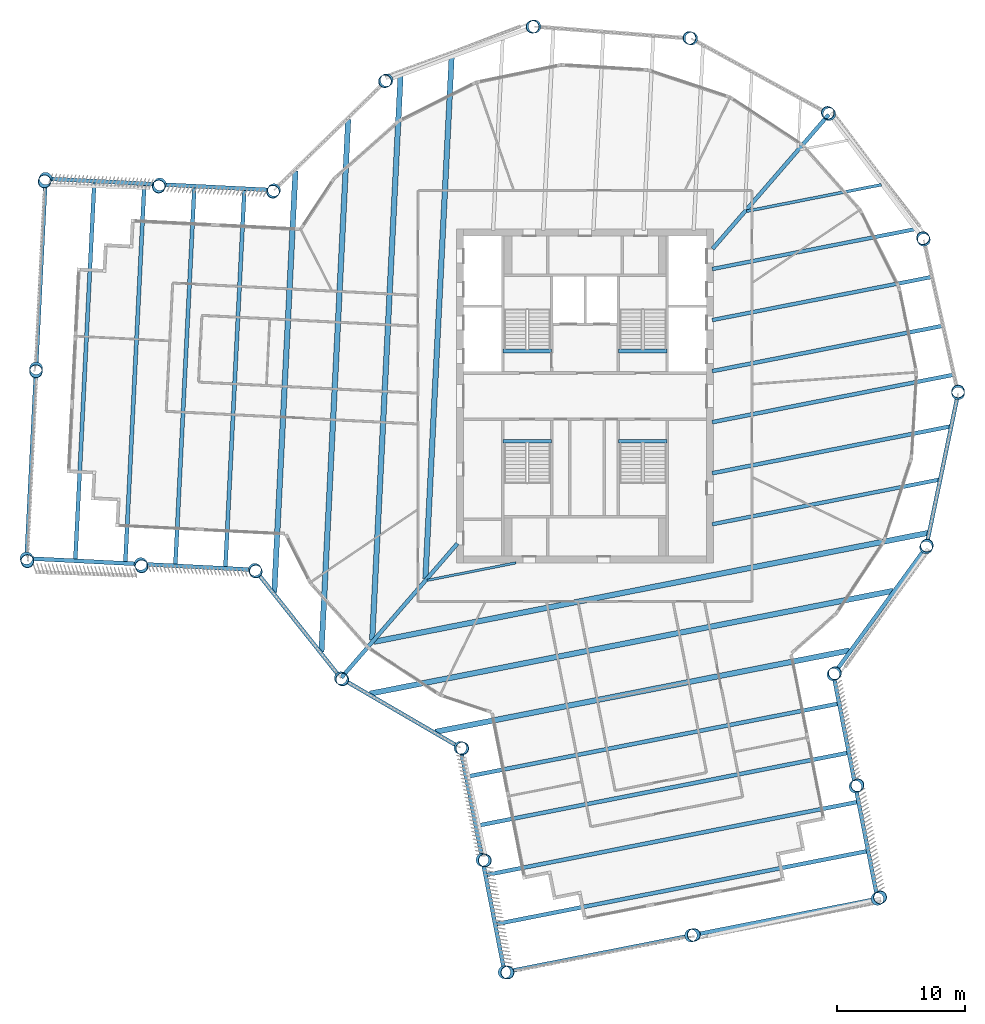
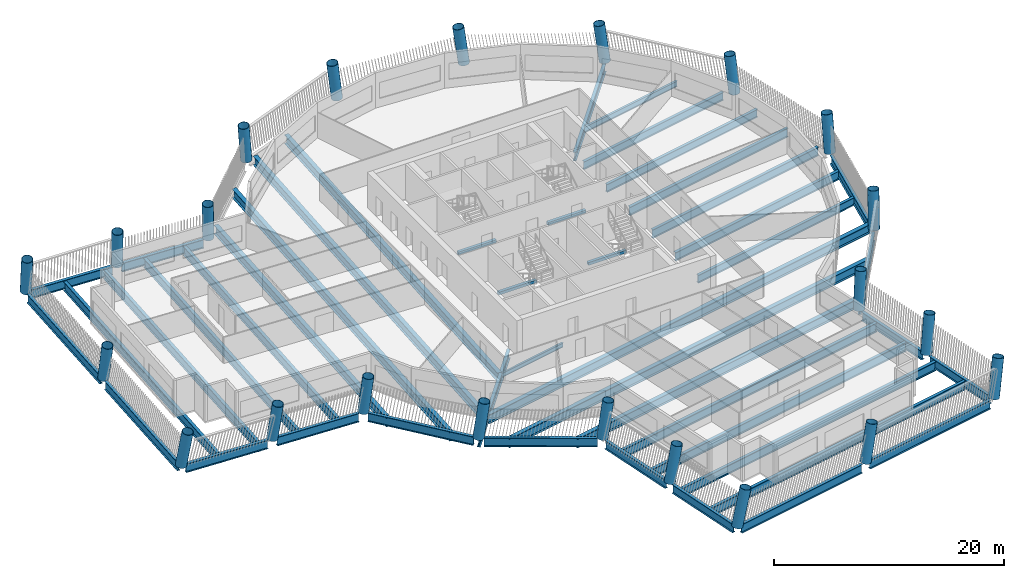
# One storey, part 1 of 14: 45 beams, 22 columns.
"""IFC4 building model written with IfcOpenShell, lengths in metres."""

from ifc_helpers import new_model, si_unit, direction, frame, origin, origin_2d, place, context, subcontext, project, spatial, rectangle, hollow_circle, i_section, extrude, material, material_profile, profile_set, type_object, element, save


model = new_model("IFC4")

# Units and contexts
model_context = context("Model", 3, precision=1e-05, world=origin(), true_north=direction((0.0, 1.0)))
body_context = subcontext(model_context, "Body", "Model", "MODEL_VIEW")
ifc_project = project(units=[si_unit("LENGTHUNIT", "METRE"), si_unit("AREAUNIT", "SQUARE_METRE"), si_unit("VOLUMEUNIT", "CUBIC_METRE"), si_unit("PLANEANGLEUNIT", "RADIAN"), si_unit("MASSUNIT", "GRAM", prefix="KILO")], contexts=[model_context])

# Site, building, storey
site_placement = place(None, origin())
site = spatial("IfcSite", under=ifc_project, at=site_placement, CompositionType="ELEMENT")
building_placement = place(site_placement, origin())
building = spatial("IfcBuilding", under=site, at=building_placement, Name="Tarsis Ring Headquarters", CompositionType="ELEMENT")
storey_placement = place(building_placement, frame((0.0, 0.0, 274.699951171875)))
storey = spatial("IfcBuildingStorey", under=building, at=storey_placement, Name="L64", CompositionType="ELEMENT", Elevation=274.699951171875)

# Columns
ifc_material_1 = material(Name="Structural steel S355", Category="steel")
ifc_material_profile_1 = material_profile(ifc_material_1, hollow_circle(Radius=0.508056640625, WallThickness=0.0400390625, at=origin_2d()), Name="CHS 1016x40")
ifc_profile_set_1 = profile_set([ifc_material_profile_1], Name="Structural steel S355")
column_type = type_object("IfcColumnType", Name="XC Exo column CHS 1016x40", PredefinedType="COLUMN", material=ifc_profile_set_1)
for number, where, z_axis, x_axis, name in (
    (1, (-19.011474609375, -21.963134765625, 0.001220703125), (0.098202582174, -0.083543626201, 0.991653525873), (0.64797000326, 0.761665855133, 0.0), "Exo column XC6 F1"),
    (2, (-9.701171875, -27.380615234375, 0.001220703125), (0.121868609297, -0.04198938832, 0.991657669429), (0.32575306004, 0.945454887276, 0.0), "Exo column XC6 AK"),
):
    element("IfcColumn", number, at=place(storey_placement, frame(where, z_axis=z_axis, x_axis=x_axis)), inside=storey, type_object=column_type, Name=name, PredefinedType="COLUMN", context=body_context, shape_type="SweptSolid", body=[
        extrude(hollow_circle(Radius=0.508056640625, WallThickness=0.0400390625, at=origin_2d()), origin(), (0.0, 0.0, 1.0), 3.930419921875),
    ])
column_1_placement = place(storey_placement, frame((-7.984130859375, -36.11572265625, 0.00146484375), z_axis=(0.159702627069, -0.033868823388, 0.986583992222), x_axis=(0.207460295854, 0.978243438845, 0.0)))
element("IfcColumn", 3, at=column_1_placement, inside=storey, type_object=column_type, Name="Exo column XC6 AI1", PredefinedType="COLUMN", context=body_context, shape_type="SweptSolid", body=[
    extrude(hollow_circle(Radius=0.508056640625, WallThickness=0.0400390625, at=origin_2d()), origin(), (0.0, 0.0, 1.0), 3.9501953125),
])
column_2_placement = place(storey_placement, frame((-6.267333984375, -44.850830078125, 0.00146484375), z_axis=(0.196971829618, -0.025788082431, 0.980069932781), x_axis=(0.129814858257, 0.991538250687, 0.0)))
element("IfcColumn", 4, at=column_2_placement, inside=storey, type_object=column_type, Name="Exo column XC6 AT1", PredefinedType="COLUMN", context=body_context, shape_type="SweptSolid", body=[
    extrude(hollow_circle(Radius=0.508056640625, WallThickness=0.0400390625, at=origin_2d()), origin(), (0.0, 0.0, 1.0), 3.976318359375),
])
column_3_placement = place(storey_placement, frame((8.2548828125, -41.996337890625, 0.00146484375), z_axis=(0.184271286515, 0.037900204505, 0.982144422916), x_axis=(-0.201459132948, 0.979496920746, 0.0)))
element("IfcColumn", 5, at=column_3_placement, inside=storey, type_object=column_type, Name="Exo column XC6 AT2", PredefinedType="COLUMN", context=body_context, shape_type="SweptSolid", body=[
    extrude(hollow_circle(Radius=0.508056640625, WallThickness=0.0400390625, at=origin_2d()), origin(), (0.0, 0.0, 1.0), 3.968017578125),
])
column_4_placement = place(storey_placement, frame((22.777099609375, -39.141845703125, 0.00146484375), z_axis=(0.170756489285, 0.10137323402, 0.980084531452), x_axis=(-0.510488745539, 0.85988443449, 0.0)))
element("IfcColumn", 6, at=column_4_placement, inside=storey, type_object=column_type, Name="Exo column XC6 AT3", PredefinedType="COLUMN", context=body_context, shape_type="SweptSolid", body=[
    extrude(hollow_circle(Radius=0.508056640625, WallThickness=0.0400390625, at=origin_2d()), origin(), (0.0, 0.0, 1.0), 3.97607421875),
])
column_5_placement = place(storey_placement, frame((21.06005859375, -30.40673828125, 0.00146484375), z_axis=(0.1334348684, 0.094127514855, 0.986577491555), x_axis=(-0.57643055625, 0.817146139819, 0.0)))
element("IfcColumn", 7, at=column_5_placement, inside=storey, type_object=column_type, Name="Exo column XC6 AO1", PredefinedType="COLUMN", context=body_context, shape_type="SweptSolid", body=[
    extrude(hollow_circle(Radius=0.508056640625, WallThickness=0.0400390625, at=origin_2d()), origin(), (0.0, 0.0, 1.0), 3.9501953125),
])
for number, where, z_axis, x_axis, name in (
    (8, (19.343017578125, -21.671630859375, 0.001220703125), (0.095408043191, 0.086649882976, 0.991659771834), (-0.672312891476, 0.740267097712, 0.0), "Exo column XC6 AJ"),
    (9, (26.55615234375, -11.772216796875, 0.001220703125), (0.051244126504, 0.118327346654, 0.991651490461), (-0.917643471949, 0.397404653206, 0.0), "Exo column XC6 R1"),
    (10, (29.047607421875, 0.220703125, 0.001220703125), (-0.002111890841, 0.128887455752, 0.991656978832), (-0.99986578403, -0.016383342967, 0.0), "Exo column XC6 R2"),
    (11, (26.374267578125, 12.17431640625, 0.001220703125), (-0.055033646498, 0.116527224414, 0.991661587299), (-0.904227966914, -0.427050095248, 0.0), "Exo column XC6 R3"),
    (12, (19.011474609375, 21.963134765625, 0.001220703125), (-0.098202582174, 0.083543626201, 0.991653525873), (-0.64797000326, -0.761665855133, 0.0), "Exo column XC6 R4"),
    (13, (8.268310546875, 27.846923828125, 0.001220703125), (-0.123917924806, 0.035591464117, 0.991653969686), (-0.276057106633, -0.961141235135, 0.0), "Exo column XC6 R5"),
    (14, (-3.945068359375, 28.779296875, 0.001220703125), (-0.127521570622, -0.018572308629, 0.99166189721), (0.144120069288, -0.989560208188, 0.0), "Exo column XC6 R6"),
    (15, (-15.456787109375, 24.5947265625, 0.001220703125), (-0.108575380894, -0.069567749772, 0.991651004565), (0.539491025248, -0.84199135012, 0.0), "Exo column XC6 R7"),
    (16, (-24.220458984375, 16.037109375, 0.001220703125), (-0.070189150771, -0.108140983621, 0.991654683232), (0.838806682157, -0.544429380148, 0.0), "Exo column XC6 BJ"),
):
    element("IfcColumn", number, at=place(storey_placement, frame(where, z_axis=z_axis, x_axis=x_axis)), inside=storey, type_object=column_type, Name=name, PredefinedType="COLUMN", context=body_context, shape_type="SweptSolid", body=[
        extrude(hollow_circle(Radius=0.508056640625, WallThickness=0.0400390625, at=origin_2d()), origin(), (0.0, 0.0, 1.0), 3.930419921875),
    ])
column_6_placement = place(storey_placement, frame((-33.111328125, 16.484375, 0.00146484375), z_axis=(-0.071506806296, -0.146845437995, 0.986571433802), x_axis=(0.89907007703, -0.437804747106, 0.0)))
element("IfcColumn", 17, at=column_6_placement, inside=storey, type_object=column_type, Name="Exo column XC6 BO1", PredefinedType="COLUMN", context=body_context, shape_type="SweptSolid", body=[
    extrude(hollow_circle(Radius=0.508056640625, WallThickness=0.0400390625, at=origin_2d()), origin(), (0.0, 0.0, 1.0), 3.9501953125),
])
column_7_placement = place(storey_placement, frame((-42.00244140625, 16.931396484375, 0.00146484375), z_axis=(-0.072637537828, -0.184817403942, 0.980084851071), x_axis=(0.930698868167, -0.36578629935, 0.0)))
element("IfcColumn", 18, at=column_7_placement, inside=storey, type_object=column_type, Name="Exo column XC6 BT3", PredefinedType="COLUMN", context=body_context, shape_type="SweptSolid", body=[
    extrude(hollow_circle(Radius=0.508056640625, WallThickness=0.0400390625, at=origin_2d()), origin(), (0.0, 0.0, 1.0), 3.97607421875),
])
column_8_placement = place(storey_placement, frame((-42.745849609375, 2.150146484375, 0.00146484375), z_axis=(-0.0078138457, -0.187962981211, 0.982145030792), x_axis=(0.999137036229, -0.041535320328, 0.0)))
element("IfcColumn", 19, at=column_8_placement, inside=storey, type_object=column_type, Name="Exo column XC6 BT2", PredefinedType="COLUMN", context=body_context, shape_type="SweptSolid", body=[
    extrude(hollow_circle(Radius=0.508056640625, WallThickness=0.0400390625, at=origin_2d()), origin(), (0.0, 0.0, 1.0), 3.968017578125),
])
column_9_placement = place(storey_placement, frame((-43.489501953125, -12.631103515625, 0.00146484375), z_axis=(0.057040870713, -0.190279503056, 0.980071451367), x_axis=(0.957885815091, 0.287149377935, 0.0)))
element("IfcColumn", 20, at=column_9_placement, inside=storey, type_object=column_type, Name="Exo column XC6 BT1", PredefinedType="COLUMN", context=body_context, shape_type="SweptSolid", body=[
    extrude(hollow_circle(Radius=0.508056640625, WallThickness=0.0400390625, at=origin_2d()), origin(), (0.0, 0.0, 1.0), 3.976318359375),
])
column_10_placement = place(storey_placement, frame((-34.598388671875, -13.078369140625, 0.00146484375), z_axis=(0.059023106679, -0.152223991362, 0.986582043893), x_axis=(0.932366516988, 0.361514422949, 0.0)))
element("IfcColumn", 21, at=column_10_placement, inside=storey, type_object=column_type, Name="Exo column XC6 BI1", PredefinedType="COLUMN", context=body_context, shape_type="SweptSolid", body=[
    extrude(hollow_circle(Radius=0.508056640625, WallThickness=0.0400390625, at=origin_2d()), origin(), (0.0, 0.0, 1.0), 3.9501953125),
])
column_11_placement = place(storey_placement, frame((-25.70751953125, -13.525634765625, 0.001220703125), z_axis=(0.060996479374, -0.113545381157, 0.991658648892), x_axis=(0.880934904865, 0.473237459834, 0.0)))
element("IfcColumn", 22, at=column_11_placement, inside=storey, type_object=column_type, Name="Exo column XC6 BK", PredefinedType="COLUMN", context=body_context, shape_type="SweptSolid", body=[
    extrude(hollow_circle(Radius=0.508056640625, WallThickness=0.0400390625, at=origin_2d()), origin(), (0.0, 0.0, 1.0), 3.930419921875),
])

# Beams
ifc_material_profile_2 = material_profile(ifc_material_1, i_section(OverallWidth=0.1904296875, OverallDepth=0.457275390625, WebThickness=0.009033203125, FlangeThickness=0.014404296875, at=origin_2d()), Name="W18x50")
ifc_profile_set_2 = profile_set([ifc_material_profile_2], Name="Structural steel S355")
beam_type_1 = type_object("IfcBeamType", Name="FB Floor beam W18x50", PredefinedType="JOIST", material=ifc_profile_set_2)
beam_1_placement = place(storey_placement, frame((-12.288818359375, -14.33935546875, -0.388671875), z_axis=(0.981223176942, 0.192875807272, 0.0), x_axis=(-0.192875807272, 0.981223176942, 0.0)))
element("IfcBeam", 23, at=beam_1_placement, inside=storey, type_object=beam_type_1, Name="Floor beam FB2", PredefinedType="JOIST", context=body_context, shape_type="SweptSolid", body=[
    extrude(i_section(OverallWidth=0.1904296875, OverallDepth=0.457275390625, WebThickness=0.009033203125, FlangeThickness=0.014404296875, at=origin_2d()), origin(), (0.0, 0.0, 1.0), 7.044189453125),
])
ifc_material_profile_3 = material_profile(ifc_material_1, i_section(OverallWidth=0.228271484375, OverallDepth=0.607177734375, WebThickness=0.01123046875, FlangeThickness=0.017333984375, at=origin_2d()), Name="W24x76")
ifc_profile_set_3 = profile_set([ifc_material_profile_3], Name="Structural steel S355")
beam_type_2 = type_object("IfcBeamType", Name="FB Floor beam W24x76", PredefinedType="JOIST", material=ifc_profile_set_3)
beam_2_placement = place(storey_placement, frame((12.58642578125, 14.397705078125, -0.463623046875), z_axis=(0.981223886282, 0.192872198591, 0.0), x_axis=(-0.192872198591, 0.981223886282, 0.0)))
element("IfcBeam", 24, at=beam_2_placement, inside=storey, type_object=beam_type_2, Name="Floor beam FB4", PredefinedType="JOIST", context=body_context, shape_type="SweptSolid", body=[
    extrude(i_section(OverallWidth=0.228271484375, OverallDepth=0.607177734375, WebThickness=0.01123046875, FlangeThickness=0.017333984375, at=origin_2d()), origin(), (0.0, 0.0, 1.0), 10.684814453125),
])
ifc_material_profile_4 = material_profile(ifc_material_1, i_section(OverallWidth=0.2919921875, OverallDepth=0.835693359375, WebThickness=0.013916015625, FlangeThickness=0.018798828125, at=origin_2d()), Name="W33x118")
ifc_profile_set_4 = profile_set([ifc_material_profile_4], Name="Structural steel S355")
beam_type_3 = type_object("IfcBeamType", Name="FB Floor beam W33x118", PredefinedType="JOIST", material=ifc_profile_set_4)
beam_3_placement = place(storey_placement, frame((9.90185546875, 9.8955078125, -0.577880859375), z_axis=(0.981224858793, 0.192867250945, 0.0), x_axis=(-0.192867250945, 0.981224858793, 0.0)))
element("IfcBeam", 25, at=beam_3_placement, inside=storey, type_object=beam_type_3, Name="Floor beam FB7", PredefinedType="JOIST", context=body_context, shape_type="SweptSolid", body=[
    extrude(i_section(OverallWidth=0.2919921875, OverallDepth=0.835693359375, WebThickness=0.013916015625, FlangeThickness=0.018798828125, at=origin_2d()), origin(), (0.0, 0.0, 1.0), 16.074951171875),
])
beam_4_placement = place(storey_placement, frame((9.90185546875, 5.9208984375, -0.577880859375), z_axis=(0.981226435259, 0.192859230394, 0.0), x_axis=(-0.192859230394, 0.981226435259, 0.0)))
element("IfcBeam", 26, at=beam_4_placement, inside=storey, type_object=beam_type_3, Name="Floor beam FB7", PredefinedType="JOIST", context=body_context, shape_type="SweptSolid", body=[
    extrude(i_section(OverallWidth=0.2919921875, OverallDepth=0.835693359375, WebThickness=0.013916015625, FlangeThickness=0.018798828125, at=origin_2d()), origin(), (0.0, 0.0, 1.0), 17.390869140625),
])
beam_5_placement = place(storey_placement, frame((9.90185546875, -9.9775390625, -0.577880859375), z_axis=(0.981225481574, 0.192864082479, 0.0), x_axis=(-0.192864082479, 0.981225481574, 0.0)))
element("IfcBeam", 27, at=beam_5_placement, inside=storey, type_object=beam_type_3, Name="Floor beam FB7", PredefinedType="JOIST", context=body_context, shape_type="SweptSolid", body=[
    extrude(i_section(OverallWidth=0.2919921875, OverallDepth=0.835693359375, WebThickness=0.013916015625, FlangeThickness=0.018798828125, at=origin_2d()), origin(), (0.0, 0.0, 1.0), 18.0234375),
])
ifc_material_profile_5 = material_profile(ifc_material_1, i_section(OverallWidth=0.3046875, OverallDepth=0.904296875, WebThickness=0.01513671875, FlangeThickness=0.02001953125, at=origin_2d()), Name="W36x135")
ifc_profile_set_5 = profile_set([ifc_material_profile_5], Name="Structural steel S355")
beam_type_4 = type_object("IfcBeamType", Name="FB Floor beam W36x135", PredefinedType="JOIST", material=ifc_profile_set_5)
beam_6_placement = place(storey_placement, frame((9.90185546875, 1.9462890625, -0.612060546875), z_axis=(0.981225330668, 0.192864850234, 0.0), x_axis=(-0.192864850234, 0.981225330668, 0.0)))
element("IfcBeam", 28, at=beam_6_placement, inside=storey, type_object=beam_type_4, Name="Floor beam FB8", PredefinedType="JOIST", context=body_context, shape_type="SweptSolid", body=[
    extrude(i_section(OverallWidth=0.3046875, OverallDepth=0.904296875, WebThickness=0.01513671875, FlangeThickness=0.02001953125, at=origin_2d()), origin(), (0.0, 0.0, 1.0), 18.2587890625),
])
beam_7_placement = place(storey_placement, frame((9.90185546875, -2.0283203125, -0.612060546875), z_axis=(0.981226267094, 0.192860085982, 0.0), x_axis=(-0.192860085982, 0.981226267094, 0.0)))
element("IfcBeam", 29, at=beam_7_placement, inside=storey, type_object=beam_type_4, Name="Floor beam FB8", PredefinedType="JOIST", context=body_context, shape_type="SweptSolid", body=[
    extrude(i_section(OverallWidth=0.3046875, OverallDepth=0.904296875, WebThickness=0.01513671875, FlangeThickness=0.02001953125, at=origin_2d()), origin(), (0.0, 0.0, 1.0), 19.12646484375),
])
beam_8_placement = place(storey_placement, frame((9.90185546875, -6.0029296875, -0.612060546875), z_axis=(0.981226085334, 0.19286101073, 0.0), x_axis=(-0.19286101073, 0.981226085334, 0.0)))
element("IfcBeam", 30, at=beam_8_placement, inside=storey, type_object=beam_type_4, Name="Floor beam FB8", PredefinedType="JOIST", context=body_context, shape_type="SweptSolid", body=[
    extrude(i_section(OverallWidth=0.3046875, OverallDepth=0.904296875, WebThickness=0.01513671875, FlangeThickness=0.02001953125, at=origin_2d()), origin(), (0.0, 0.0, 1.0), 18.90087890625),
])
ifc_material_profile_6 = material_profile(ifc_material_1, i_section(OverallWidth=0.309814453125, OverallDepth=0.949951171875, WebThickness=0.0244140625, FlangeThickness=0.0439453125, at=origin_2d()), Name="W36x256")
ifc_profile_set_6 = profile_set([ifc_material_profile_6], Name="Structural steel S355")
beam_type_5 = type_object("IfcBeamType", Name="FB Floor beam W36x256", PredefinedType="JOIST", material=ifc_profile_set_6)
for number, where, z_axis, x_axis, name in (
    (31, (-9.203125, -29.63134765625, -0.635009765625), (0.98122454347, 0.192868855162, 0.0), (-0.192868855162, 0.98122454347, 0.0), "Floor beam FB11"),
    (32, (-8.450927734375, -33.4580078125, -0.635009765625), (0.981226110165, 0.192860884398, 0.0), (-0.192860884398, 0.981226110165, 0.0), "Floor beam FB11"),
    (33, (-7.69873046875, -37.284912109375, -0.635009765625), (0.98122454347, 0.192868855162, 0.0), (-0.192868855162, 0.98122454347, 0.0), "Floor beam FB11"),
    (34, (-6.946533203125, -41.111572265625, -0.635009765625), (0.981226110165, 0.192860884398, 0.0), (-0.192860884398, 0.981226110165, 0.0), "Floor beam FB11"),
    (35, (-26.524658203125, 16.09814453125, -0.635009765625), (-0.050243576423, -0.998736993922, 0.0), (0.998736993922, -0.050243576423, 0.0), "Floor beam FB11"),
):
    element("IfcBeam", number, at=place(storey_placement, frame(where, z_axis=z_axis, x_axis=x_axis)), inside=storey, type_object=beam_type_5, Name=name, PredefinedType="JOIST", context=body_context, shape_type="SweptSolid", body=[
        extrude(i_section(OverallWidth=0.309814453125, OverallDepth=0.949951171875, WebThickness=0.0244140625, FlangeThickness=0.0439453125, at=origin_2d()), origin(), (0.0, 0.0, 1.0), 29.490234375),
    ])
beam_9_placement = place(storey_placement, frame((-30.419677734375, 16.2939453125, -0.635009765625), z_axis=(-0.050243991854, -0.998736973023, 0.0), x_axis=(0.998736973023, -0.050243991854, 0.0)))
element("IfcBeam", 36, at=beam_9_placement, inside=storey, type_object=beam_type_5, Name="Floor beam FB11", PredefinedType="JOIST", context=body_context, shape_type="SweptSolid", body=[
    extrude(i_section(OverallWidth=0.309814453125, OverallDepth=0.949951171875, WebThickness=0.0244140625, FlangeThickness=0.0439453125, at=origin_2d()), origin(), (0.0, 0.0, 1.0), 29.489990234375),
])
for number, where, z_axis, x_axis, name in (
    (37, (-34.314697265625, 16.489990234375, -0.635009765625), (-0.050251834243, -0.998736578461, 0.0), (0.998736578461, -0.050251834243, 0.0), "Floor beam FB11"),
    (38, (-38.2099609375, 16.68603515625, -0.635009765625), (-0.050243576423, -0.998736993922, 0.0), (0.998736993922, -0.050243576423, 0.0), "Floor beam FB11"),
):
    element("IfcBeam", number, at=place(storey_placement, frame(where, z_axis=z_axis, x_axis=x_axis)), inside=storey, type_object=beam_type_5, Name=name, PredefinedType="JOIST", context=body_context, shape_type="SweptSolid", body=[
        extrude(i_section(OverallWidth=0.309814453125, OverallDepth=0.949951171875, WebThickness=0.0244140625, FlangeThickness=0.0439453125, at=origin_2d()), origin(), (0.0, 0.0, 1.0), 29.490234375),
    ])
beam_type_6 = type_object("IfcBeamType", Name="FB Floor beam W36x256 spine", PredefinedType="BEAM", material=ifc_profile_set_6)
beam_10_placement = place(storey_placement, frame((-9.9345703125, -11.476806640625, -0.635009765625), z_axis=(-0.65447684018, -0.756082049561, 0.0), x_axis=(0.756082049561, -0.65447684018, 0.0)))
element("IfcBeam", 39, at=beam_10_placement, inside=storey, type_object=beam_type_6, Name="Floor beam SB11", PredefinedType="BEAM", context=body_context, shape_type="SweptSolid", body=[
    extrude(i_section(OverallWidth=0.309814453125, OverallDepth=0.949951171875, WebThickness=0.0244140625, FlangeThickness=0.0439453125, at=origin_2d()), origin(), (0.0, 0.0, 1.0), 13.8115234375),
])
beam_11_placement = place(storey_placement, frame((18.973388671875, 21.918701171875, -0.635009765625), z_axis=(-0.654482871704, -0.756076828534, 0.0), x_axis=(0.756076828534, -0.654482871704, 0.0)))
element("IfcBeam", 40, at=beam_11_placement, inside=storey, type_object=beam_type_6, Name="Floor beam SB11", PredefinedType="BEAM", context=body_context, shape_type="SweptSolid", body=[
    extrude(i_section(OverallWidth=0.309814453125, OverallDepth=0.949951171875, WebThickness=0.0244140625, FlangeThickness=0.0439453125, at=origin_2d()), origin(), (0.0, 0.0, 1.0), 13.810546875),
])
ifc_material_profile_7 = material_profile(ifc_material_1, i_section(OverallWidth=0.42431640625, OverallDepth=0.947509765625, WebThickness=0.02392578125, FlangeThickness=0.042724609375, at=origin_2d()), Name="W36x302")
ifc_profile_set_7 = profile_set([ifc_material_profile_7], Name="Structural steel S355")
beam_type_7 = type_object("IfcBeamType", Name="FB Floor beam W36x302", PredefinedType="JOIST", material=ifc_profile_set_7)
beam_12_placement = place(storey_placement, frame((-16.434814453125, -19.12890625, -0.633544921875), z_axis=(0.981224687596, 0.192868121917, 0.0), x_axis=(-0.192868121917, 0.981224687596, 0.0)))
element("IfcBeam", 41, at=beam_12_placement, inside=storey, type_object=beam_type_7, Name="Floor beam FB12", PredefinedType="JOIST", context=body_context, shape_type="SweptSolid", body=[
    extrude(i_section(OverallWidth=0.42431640625, OverallDepth=0.947509765625, WebThickness=0.02392578125, FlangeThickness=0.042724609375, at=origin_2d()), origin(), (0.0, 0.0, 1.0), 43.98681640625),
])
beam_13_placement = place(storey_placement, frame((-16.763916015625, -23.168212890625, -0.633544921875), z_axis=(0.98122498436, 0.192866612111, 0.0), x_axis=(-0.192866612111, 0.98122498436, 0.0)))
element("IfcBeam", 42, at=beam_13_placement, inside=storey, type_object=beam_type_7, Name="Floor beam FB12", PredefinedType="JOIST", context=body_context, shape_type="SweptSolid", body=[
    extrude(i_section(OverallWidth=0.42431640625, OverallDepth=0.947509765625, WebThickness=0.02392578125, FlangeThickness=0.042724609375, at=origin_2d()), origin(), (0.0, 0.0, 1.0), 41.523681640625),
])
beam_14_placement = place(storey_placement, frame((-11.657958984375, -26.13916015625, -0.633544921875), z_axis=(0.981224810371, 0.192867497295, 0.0), x_axis=(-0.192867497295, 0.981224810371, 0.0)))
element("IfcBeam", 43, at=beam_14_placement, inside=storey, type_object=beam_type_7, Name="Floor beam FB12", PredefinedType="JOIST", context=body_context, shape_type="SweptSolid", body=[
    extrude(i_section(OverallWidth=0.42431640625, OverallDepth=0.947509765625, WebThickness=0.02392578125, FlangeThickness=0.042724609375, at=origin_2d()), origin(), (0.0, 0.0, 1.0), 32.875244140625),
])
beam_15_placement = place(storey_placement, frame((-10.38818359375, 26.370361328125, -0.633544921875), z_axis=(-0.050241439668, -0.998737101414, 0.0), x_axis=(0.998737101414, -0.050241439668, 0.0)))
element("IfcBeam", 44, at=beam_15_placement, inside=storey, type_object=beam_type_7, Name="Floor beam FB12", PredefinedType="JOIST", context=body_context, shape_type="SweptSolid", body=[
    extrude(i_section(OverallWidth=0.42431640625, OverallDepth=0.947509765625, WebThickness=0.02392578125, FlangeThickness=0.042724609375, at=origin_2d()), origin(), (0.0, 0.0, 1.0), 40.638671875),
])
beam_16_placement = place(storey_placement, frame((-14.36572265625, 24.924560546875, -0.633544921875), z_axis=(-0.050247104063, -0.99873681645, 0.0), x_axis=(0.99873681645, -0.050247104063, 0.0)))
element("IfcBeam", 45, at=beam_16_placement, inside=storey, type_object=beam_type_7, Name="Floor beam FB12", PredefinedType="JOIST", context=body_context, shape_type="SweptSolid", body=[
    extrude(i_section(OverallWidth=0.42431640625, OverallDepth=0.947509765625, WebThickness=0.02392578125, FlangeThickness=0.042724609375, at=origin_2d()), origin(), (0.0, 0.0, 1.0), 43.98681640625),
])
beam_17_placement = place(storey_placement, frame((-18.43994140625, 21.56005859375, -0.633544921875), z_axis=(-0.050246694509, -0.998736837055, 0.0), x_axis=(0.998736837055, -0.050246694509, 0.0)))
element("IfcBeam", 46, at=beam_17_placement, inside=storey, type_object=beam_type_7, Name="Floor beam FB12", PredefinedType="JOIST", context=body_context, shape_type="SweptSolid", body=[
    extrude(i_section(OverallWidth=0.42431640625, OverallDepth=0.947509765625, WebThickness=0.02392578125, FlangeThickness=0.042724609375, at=origin_2d()), origin(), (0.0, 0.0, 1.0), 41.523681640625),
])
beam_18_placement = place(storey_placement, frame((-22.546630859375, 17.5498046875, -0.633544921875), z_axis=(-0.050246147403, -0.99873686458, 0.0), x_axis=(0.99873686458, -0.050246147403, 0.0)))
element("IfcBeam", 47, at=beam_18_placement, inside=storey, type_object=beam_type_7, Name="Floor beam FB12", PredefinedType="JOIST", context=body_context, shape_type="SweptSolid", body=[
    extrude(i_section(OverallWidth=0.42431640625, OverallDepth=0.947509765625, WebThickness=0.02392578125, FlangeThickness=0.042724609375, at=origin_2d()), origin(), (0.0, 0.0, 1.0), 32.875244140625),
])
ifc_material_2 = material(Name="Concrete C40/50", Category="concrete")
ifc_material_profile_8 = material_profile(ifc_material_2, rectangle(XDim=0.300048828125, YDim=0.300048828125, at=origin_2d()), Name="Stair head beam 300x300 C40/50")
ifc_profile_set_8 = profile_set([ifc_material_profile_8], Name="Concrete C40/50")
beam_type_8 = type_object("IfcBeamType", Name="Stair head beam 300x300 C40/50", PredefinedType="BEAM", material=ifc_profile_set_8)
for number, where, z_axis, x_axis, name in (
    (48, (-6.39990234375, 3.510009765625, -0.31005859375), (1.0, 0.0, 0.0), (0.0, 1.0, 0.0), "Stair head beam L64 Firefighting stair"),
    (49, (2.60009765625, 3.510009765625, -0.31005859375), (1.0, 0.0, 0.0), (0.0, 1.0, 0.0), "Stair head beam L64 Exit stair B"),
    (50, (-6.39990234375, -3.510009765625, -0.31005859375), (1.0, 0.0, 0.0), (0.0, 1.0, 0.0), "Stair head beam L64 Exit stair C"),
    (51, (2.60009765625, -3.510009765625, -0.31005859375), (1.0, 0.0, 0.0), (0.0, 1.0, 0.0), "Stair head beam L64 Exit stair D"),
):
    element("IfcBeam", number, at=place(storey_placement, frame(where, z_axis=z_axis, x_axis=x_axis)), inside=storey, type_object=beam_type_8, Name=name, PredefinedType="BEAM", context=body_context, shape_type="SweptSolid", body=[
        extrude(rectangle(XDim=0.300048828125, YDim=0.300048828125, at=origin_2d()), origin(), (0.0, 0.0, 1.0), 3.7998046875),
    ])
ifc_material_profile_9 = material_profile(ifc_material_1, i_section(OverallWidth=0.309814453125, OverallDepth=0.93212890625, WebThickness=0.02099609375, FlangeThickness=0.034423828125, at=origin_2d()), Name="W36x210")
ifc_profile_set_9 = profile_set([ifc_material_profile_9], Name="Structural steel S355")
beam_type_9 = type_object("IfcBeamType", Name="XG Ring girder W36x210", PredefinedType="BEAM", material=ifc_profile_set_9)
beam_19_placement = place(storey_placement, frame((-18.616455078125, -22.193115234375, -0.466064453125), z_axis=(0.864329937502, -0.50292520233, 0.0), x_axis=(0.50292520233, 0.864329937502, 0.0)))
element("IfcBeam", 52, at=beam_19_placement, inside=storey, type_object=beam_type_9, Name="Ring girder XG3", PredefinedType="BEAM", context=body_context, shape_type="SweptSolid", body=[
    extrude(i_section(OverallWidth=0.309814453125, OverallDepth=0.93212890625, WebThickness=0.02099609375, FlangeThickness=0.034423828125, at=origin_2d()), origin(), (0.0, 0.0, 1.0), 9.857421875),
])
for number, where, z_axis, x_axis, name in (
    (53, (-9.61328125, -27.829345703125, -0.466064453125), (0.192858812748, -0.981226517347, 0.0), (0.981226517347, 0.192858812748, 0.0), "Ring girder XG3"),
    (54, (-7.896240234375, -36.564453125, -0.466064453125), (0.192858812748, -0.981226517347, 0.0), (0.981226517347, 0.192858812748, 0.0), "Ring girder XG3"),
):
    element("IfcBeam", number, at=place(storey_placement, frame(where, z_axis=z_axis, x_axis=x_axis)), inside=storey, type_object=beam_type_9, Name=name, PredefinedType="BEAM", context=body_context, shape_type="SweptSolid", body=[
        extrude(i_section(OverallWidth=0.309814453125, OverallDepth=0.93212890625, WebThickness=0.02099609375, FlangeThickness=0.034423828125, at=origin_2d()), origin(), (0.0, 0.0, 1.0), 7.98779296875),
    ])
beam_20_placement = place(storey_placement, frame((-5.81884765625, -44.7626953125, -0.466064453125), z_axis=(0.981225832691, 0.192862296106, 0.0), x_axis=(-0.192862296106, 0.981225832691, 0.0)))
element("IfcBeam", 55, at=beam_20_placement, inside=storey, type_object=beam_type_9, Name="Ring girder XG3", PredefinedType="BEAM", context=body_context, shape_type="SweptSolid", body=[
    extrude(i_section(OverallWidth=0.309814453125, OverallDepth=0.93212890625, WebThickness=0.02099609375, FlangeThickness=0.034423828125, at=origin_2d()), origin(), (0.0, 0.0, 1.0), 13.885498046875),
])
beam_21_placement = place(storey_placement, frame((8.703125, -41.908203125, -0.466064453125), z_axis=(0.98122648667, 0.192858968827, 0.0), x_axis=(-0.192858968827, 0.98122648667, 0.0)))
element("IfcBeam", 56, at=beam_21_placement, inside=storey, type_object=beam_type_9, Name="Ring girder XG3", PredefinedType="BEAM", context=body_context, shape_type="SweptSolid", body=[
    extrude(i_section(OverallWidth=0.309814453125, OverallDepth=0.93212890625, WebThickness=0.02099609375, FlangeThickness=0.034423828125, at=origin_2d()), origin(), (0.0, 0.0, 1.0), 13.8857421875),
])
for number, where, z_axis, x_axis, name in (
    (57, (22.6884765625, -38.693359375, -0.466064453125), (-0.192858812748, 0.981226517347, 0.0), (-0.981226517347, -0.192858812748, 0.0), "Ring girder XG3"),
    (58, (20.9716796875, -29.958251953125, -0.466064453125), (-0.192858812748, 0.981226517347, 0.0), (-0.981226517347, -0.192858812748, 0.0), "Ring girder XG3"),
):
    element("IfcBeam", number, at=place(storey_placement, frame(where, z_axis=z_axis, x_axis=x_axis)), inside=storey, type_object=beam_type_9, Name=name, PredefinedType="BEAM", context=body_context, shape_type="SweptSolid", body=[
        extrude(i_section(OverallWidth=0.309814453125, OverallDepth=0.93212890625, WebThickness=0.02099609375, FlangeThickness=0.034423828125, at=origin_2d()), origin(), (0.0, 0.0, 1.0), 7.98779296875),
    ])
beam_22_placement = place(storey_placement, frame((19.612060546875, -21.30224609375, -0.466064453125), z_axis=(0.588904049783, 0.808202957276, 0.0), x_axis=(-0.808202957276, 0.588904049783, 0.0)))
element("IfcBeam", 59, at=beam_22_placement, inside=storey, type_object=beam_type_9, Name="Ring girder XG3", PredefinedType="BEAM", context=body_context, shape_type="SweptSolid", body=[
    extrude(i_section(OverallWidth=0.309814453125, OverallDepth=0.93212890625, WebThickness=0.02099609375, FlangeThickness=0.034423828125, at=origin_2d()), origin(), (0.0, 0.0, 1.0), 11.334228515625),
])
beam_23_placement = place(storey_placement, frame((26.649169921875, -11.32470703125, -0.466064453125), z_axis=(0.203396847957, 0.979096380466, 0.0), x_axis=(-0.979096380466, 0.203396847957, 0.0)))
element("IfcBeam", 60, at=beam_23_placement, inside=storey, type_object=beam_type_9, Name="Ring girder XG3", PredefinedType="BEAM", context=body_context, shape_type="SweptSolid", body=[
    extrude(i_section(OverallWidth=0.309814453125, OverallDepth=0.93212890625, WebThickness=0.02099609375, FlangeThickness=0.034423828125, at=origin_2d()), origin(), (0.0, 0.0, 1.0), 11.33447265625),
])
for number, where, z_axis, x_axis, name in (
    (61, (-24.677001953125, 16.06005859375, -0.466064453125), (-0.998736818436, 0.050247064587, 0.0), (-0.050247064587, -0.998736818436, 0.0), "Ring girder XG3"),
    (62, (-33.56787109375, 16.507568359375, -0.466064453125), (-0.99873835178, 0.050216577776, 0.0), (-0.050216577776, -0.99873835178, 0.0), "Ring girder XG3"),
):
    element("IfcBeam", number, at=place(storey_placement, frame(where, z_axis=z_axis, x_axis=x_axis)), inside=storey, type_object=beam_type_9, Name=name, PredefinedType="BEAM", context=body_context, shape_type="SweptSolid", body=[
        extrude(i_section(OverallWidth=0.309814453125, OverallDepth=0.93212890625, WebThickness=0.02099609375, FlangeThickness=0.034423828125, at=origin_2d()), origin(), (0.0, 0.0, 1.0), 7.98779296875),
    ])
beam_24_placement = place(storey_placement, frame((-42.025390625, 16.47509765625, -0.466064453125), z_axis=(-0.050233140703, -0.998737518858, 0.0), x_axis=(0.998737518858, -0.050233140703, 0.0)))
element("IfcBeam", 63, at=beam_24_placement, inside=storey, type_object=beam_type_9, Name="Ring girder XG3", PredefinedType="BEAM", context=body_context, shape_type="SweptSolid", body=[
    extrude(i_section(OverallWidth=0.309814453125, OverallDepth=0.93212890625, WebThickness=0.02099609375, FlangeThickness=0.034423828125, at=origin_2d()), origin(), (0.0, 0.0, 1.0), 13.885498046875),
])
beam_25_placement = place(storey_placement, frame((-42.768798828125, 1.69384765625, -0.466064453125), z_axis=(-0.050249796393, -0.998736680994, 0.0), x_axis=(0.998736680994, -0.050249796393, 0.0)))
element("IfcBeam", 64, at=beam_25_placement, inside=storey, type_object=beam_type_9, Name="Ring girder XG3", PredefinedType="BEAM", context=body_context, shape_type="SweptSolid", body=[
    extrude(i_section(OverallWidth=0.309814453125, OverallDepth=0.93212890625, WebThickness=0.02099609375, FlangeThickness=0.034423828125, at=origin_2d()), origin(), (0.0, 0.0, 1.0), 13.8857421875),
])
beam_26_placement = place(storey_placement, frame((-43.032958984375, -12.65380859375, -0.466064453125), z_axis=(0.998736818436, -0.050247064587, 0.0), x_axis=(0.050247064587, 0.998736818436, 0.0)))
element("IfcBeam", 65, at=beam_26_placement, inside=storey, type_object=beam_type_9, Name="Ring girder XG3", PredefinedType="BEAM", context=body_context, shape_type="SweptSolid", body=[
    extrude(i_section(OverallWidth=0.309814453125, OverallDepth=0.93212890625, WebThickness=0.02099609375, FlangeThickness=0.034423828125, at=origin_2d()), origin(), (0.0, 0.0, 1.0), 7.98779296875),
])
beam_27_placement = place(storey_placement, frame((-34.141845703125, -13.10107421875, -0.466064453125), z_axis=(0.998736741266, -0.05024859844, 0.0), x_axis=(0.05024859844, 0.998736741266, 0.0)))
element("IfcBeam", 66, at=beam_27_placement, inside=storey, type_object=beam_type_9, Name="Ring girder XG3", PredefinedType="BEAM", context=body_context, shape_type="SweptSolid", body=[
    extrude(i_section(OverallWidth=0.309814453125, OverallDepth=0.93212890625, WebThickness=0.02099609375, FlangeThickness=0.034423828125, at=origin_2d()), origin(), (0.0, 0.0, 1.0), 7.987548828125),
])
beam_28_placement = place(storey_placement, frame((-25.42333984375, -13.883544921875, -0.466064453125), z_axis=(0.621615406596, -0.783322594008, 0.0), x_axis=(0.783322594008, 0.621615406596, 0.0)))
element("IfcBeam", 67, at=beam_28_placement, inside=storey, type_object=beam_type_9, Name="Ring girder XG3", PredefinedType="BEAM", context=body_context, shape_type="SweptSolid", body=[
    extrude(i_section(OverallWidth=0.309814453125, OverallDepth=0.93212890625, WebThickness=0.02099609375, FlangeThickness=0.034423828125, at=origin_2d()), origin(), (0.0, 0.0, 1.0), 9.857177734375),
])

save(model, "model.ifc")
